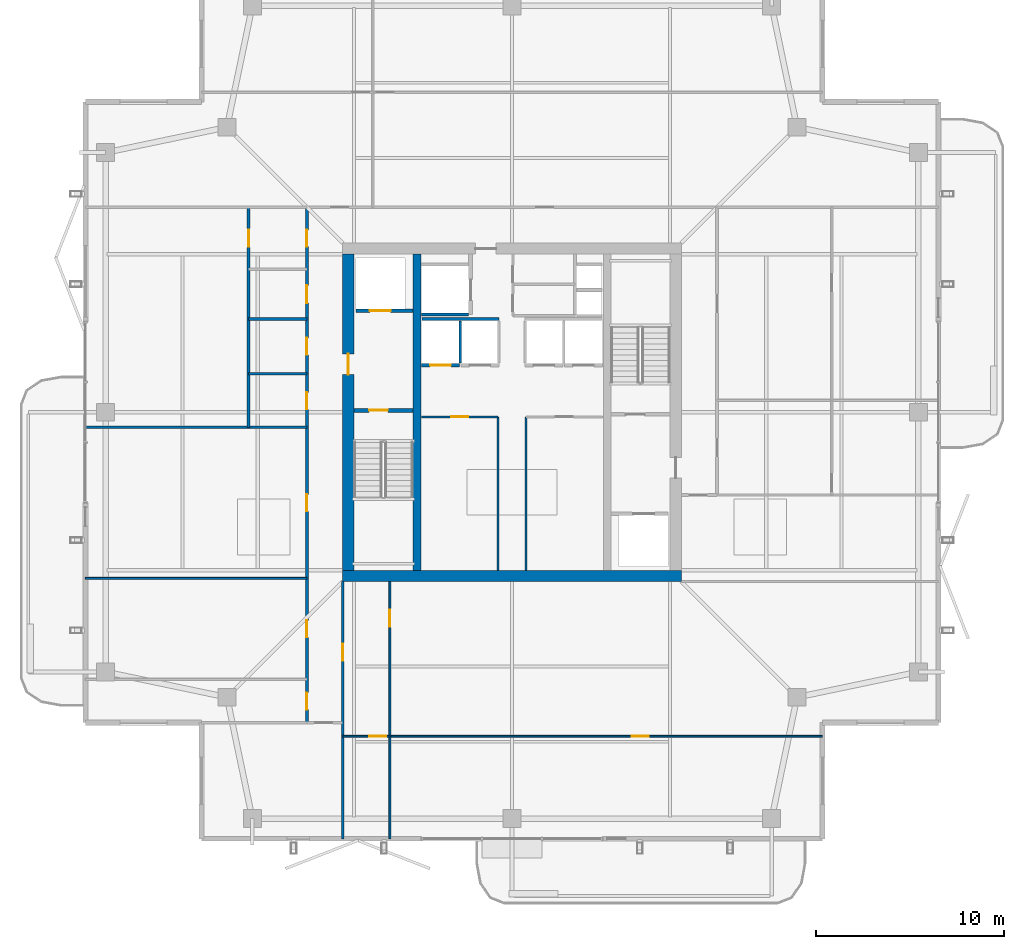
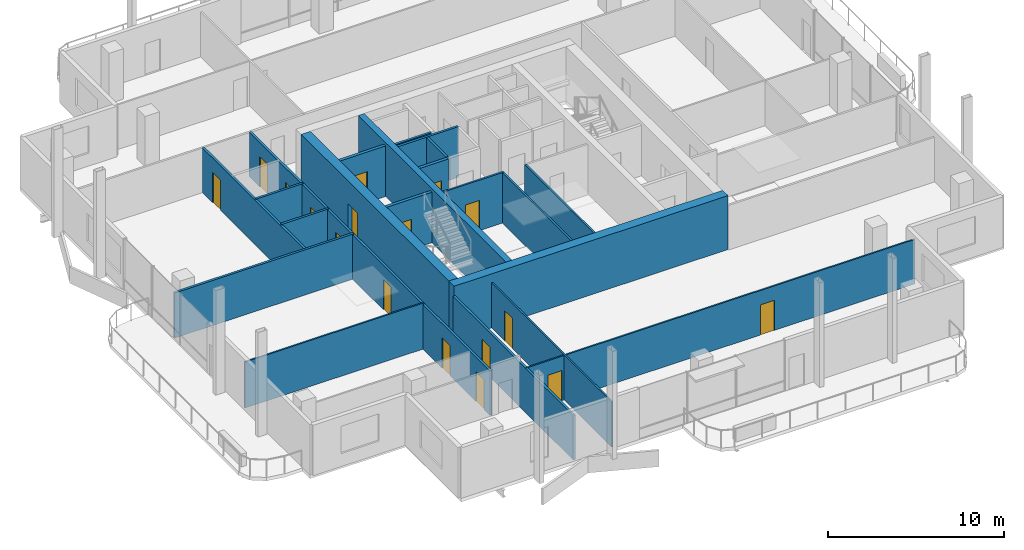
# One storey, part 14 of 20: 22 walls, 17 doors, 17 openings.
"""IFC4 building model written with IfcOpenShell, lengths in metres."""

from ifc_helpers import new_model, si_unit, direction, frame, frame_2d, origin, place, context, subcontext, project, spatial, rectangle, extrude, material, layer, layer_set, type_object, element, fill, save


model = new_model("IFC4")

# Units and contexts
model_context = context("Model", 3, precision=1e-05, world=origin(), true_north=direction((0.0, 1.0)))
body_context = subcontext(model_context, "Body", "Model", "MODEL_VIEW")
ifc_project = project(units=[si_unit("LENGTHUNIT", "METRE"), si_unit("AREAUNIT", "SQUARE_METRE"), si_unit("VOLUMEUNIT", "CUBIC_METRE"), si_unit("PLANEANGLEUNIT", "RADIAN"), si_unit("MASSUNIT", "GRAM", prefix="KILO")], contexts=[model_context])

# Site, building, storey
site_placement = place(None, origin())
site = spatial("IfcSite", under=ifc_project, at=site_placement, CompositionType="ELEMENT")
building_placement = place(site_placement, origin())
building = spatial("IfcBuilding", under=site, at=building_placement, Name="Belovzor Exchange Tower", CompositionType="ELEMENT")
storey_placement = place(building_placement, frame((0.0, 0.0, 306.75)))
storey = spatial("IfcBuildingStorey", under=building, at=storey_placement, Name="L76", CompositionType="ELEMENT", Elevation=306.75)

# Wall
ifc_material_1 = material(Name="Acoustic Laminated Glass and Aluminium", Category="aluminium")
ifc_layer_1 = layer(ifc_material_1, 0.10009765625)
ifc_layer_set_1 = layer_set([ifc_layer_1], Name="Acoustic Laminated Glass and Aluminium")
wall_type_1 = type_object("IfcWallType", Name="Demountable Executive Glass Partition 100", PredefinedType="MOVABLE", material=ifc_layer_set_1)
wall_1_placement = place(storey_placement, frame((6.1298828125, 19.968017578125, 0.0), z_axis=(0.0, 0.0, 1.0), x_axis=(1.0, 0.0, 0.0)))
element("IfcWall", 1, at=wall_1_placement, inside=storey, type_object=wall_type_1, Name="W-M100 Partition Wall W-L76-WDIV-2", PredefinedType="MOVABLE", context=body_context, shape_type="SweptSolid", body=[
    extrude(rectangle(XDim=11.77001953125, YDim=0.10009765625, at=frame_2d((5.885009765625, 0.0))), origin(), (0.0, 0.0, 1.0), 3.195068359375),
])

# Wall, opening, door
wall_2_placement = place(storey_placement, frame((19.800048828125, 11.5791015625, 0.0), z_axis=(0.0, 0.0, 1.0), x_axis=(1.0, 0.0, 0.0)))
wall_2 = element("IfcWall", 2, at=wall_2_placement, inside=storey, type_object=wall_type_1, Name="W-M100 Partition Wall W-L76-SHDIV-0", PredefinedType="MOVABLE", context=body_context, shape_type="SweptSolid", body=[
    extrude(rectangle(XDim=2.509033203125, YDim=0.10009765625, at=frame_2d((1.25439453125, 0.0))), origin(), (0.0, 0.0, 1.0), 3.094970703125),
])
opening_1_placement = place(wall_2_placement, frame((1.408935546875, 0.0, 0.0)))
opening_1 = element("IfcOpeningElement", 3, at=opening_1_placement, cuts=wall_2, Name="Opening D-INT-090", PredefinedType="OPENING", context=body_context, shape_type="SweptSolid", body=[
    extrude(rectangle(XDim=0.89990234375, YDim=2.10009765625, at=frame_2d((0.449951171875, 1.050048828125))), frame((0.0, 0.06005859375, 0.0), z_axis=(0.0, -1.0, 0.0), x_axis=(1.0, 0.0, 0.0)), (0.0, 0.0, 1.0), 0.1201171875),
])
ifc_material_2 = material(Name="Veneered Hardwood Acoustic Leaf", Category="wood")
door_type_1 = type_object("IfcDoorType", Name="Trading Suite Acoustic Single Door 900x2100", OperationType="NOTDEFINED", PredefinedType="DOOR", material=ifc_material_2)
door_1_placement = place(opening_1_placement, origin())
door_1 = element("IfcDoor", 4, at=door_1_placement, inside=storey, type_object=door_type_1, Name="D-INT-090 Trading Suite Acoustic Single Door 900x2100", OperationType="SINGLE_SWING_LEFT", OverallHeight=2.10009765625, OverallWidth=0.89990234375, PredefinedType="DOOR", context=body_context, shape_type="SweptSolid", body=[
    extrude(rectangle(XDim=0.89990234375, YDim=2.10009765625, at=frame_2d((0.449951171875, 1.050048828125))), frame((0.0, 0.02490234375, 0.0), z_axis=(0.0, -1.0, 0.0), x_axis=(1.0, 0.0, 0.0)), (0.0, 0.0, 1.0), 0.050048828125),
])
fill(opening_1, door_1)

wall_3_placement = place(storey_placement, frame((22.30908203125, 6.1298828125, 0.0), z_axis=(0.0, 0.0, 1.0), x_axis=(0.0, 1.0, 0.0)))
wall_3 = element("IfcWall", 5, at=wall_3_placement, inside=storey, type_object=wall_type_1, Name="W-M100 Partition Wall W-L76-SDIV-1", PredefinedType="MOVABLE", context=body_context, shape_type="SweptSolid", body=[
    extrude(rectangle(XDim=13.670166015625, YDim=0.10009765625, at=frame_2d((6.8349609375, 0.0))), origin(), (0.0, 0.0, 1.0), 3.135009765625),
])
opening_2_placement = place(wall_3_placement, frame((11.27001953125, 0.0, 0.0)))
opening_2 = element("IfcOpeningElement", 6, at=opening_2_placement, cuts=wall_3, Name="Opening D-INT-090", PredefinedType="OPENING", context=body_context, shape_type="SweptSolid", body=[
    extrude(rectangle(XDim=0.89990234375, YDim=2.10009765625, at=frame_2d((0.449951171875, 1.050048828125))), frame((0.0, 0.06005859375, 0.0), z_axis=(0.0, -1.0, 0.0), x_axis=(1.0, 0.0, 0.0)), (0.0, 0.0, 1.0), 0.1201171875),
])
door_2_placement = place(opening_2_placement, origin())
door_2 = element("IfcDoor", 7, at=door_2_placement, inside=storey, type_object=door_type_1, Name="D-INT-090 Trading Suite Acoustic Single Door 900x2100", OperationType="SINGLE_SWING_LEFT", OverallHeight=2.10009765625, OverallWidth=0.89990234375, PredefinedType="DOOR", context=body_context, shape_type="SweptSolid", body=[
    extrude(rectangle(XDim=0.89990234375, YDim=2.10009765625, at=frame_2d((0.449951171875, 1.050048828125))), frame((0.0, 0.02490234375, 0.0), z_axis=(0.0, -1.0, 0.0), x_axis=(1.0, 0.0, 0.0)), (0.0, 0.0, 1.0), 0.050048828125),
])
fill(opening_2, door_2)

wall_4_placement = place(storey_placement, frame((22.30908203125, 11.5791015625, 0.0), z_axis=(0.0, 0.0, 1.0), x_axis=(1.0, 0.0, 0.0)))
wall_4 = element("IfcWall", 8, at=wall_4_placement, inside=storey, type_object=wall_type_1, Name="W-M100 Partition Wall W-L76-SHDIV-1", PredefinedType="MOVABLE", context=body_context, shape_type="SweptSolid", body=[
    extrude(rectangle(XDim=22.990966796875, YDim=0.10009765625, at=frame_2d((11.49560546875, 0.0))), origin(), (0.0, 0.0, 1.0), 3.094970703125),
])
opening_3_placement = place(wall_4_placement, frame((12.85302734375, 0.0, 0.0)))
opening_3 = element("IfcOpeningElement", 9, at=opening_3_placement, cuts=wall_4, Name="Opening D-INT-090", PredefinedType="OPENING", context=body_context, shape_type="SweptSolid", body=[
    extrude(rectangle(XDim=0.89990234375, YDim=2.10009765625, at=frame_2d((0.449951171875, 1.050048828125))), frame((0.0, 0.06005859375, 0.0), z_axis=(0.0, -1.0, 0.0), x_axis=(1.0, 0.0, 0.0)), (0.0, 0.0, 1.0), 0.1201171875),
])
door_3_placement = place(opening_3_placement, origin())
door_3 = element("IfcDoor", 10, at=door_3_placement, inside=storey, type_object=door_type_1, Name="D-INT-090 Trading Suite Acoustic Single Door 900x2100", OperationType="SINGLE_SWING_LEFT", OverallHeight=2.10009765625, OverallWidth=0.89990234375, PredefinedType="DOOR", context=body_context, shape_type="SweptSolid", body=[
    extrude(rectangle(XDim=0.89990234375, YDim=2.10009765625, at=frame_2d((0.449951171875, 1.050048828125))), frame((0.0, 0.02490234375, 0.0), z_axis=(0.0, -1.0, 0.0), x_axis=(1.0, 0.0, 0.0)), (0.0, 0.0, 1.0), 0.050048828125),
])
fill(opening_3, door_3)

ifc_material_3 = material(Name="Fire-Rated Plasterboard on Galvanised Studs", Category="gypsum")
ifc_layer_2 = layer(ifc_material_3, 0.1201171875)
ifc_layer_set_2 = layer_set([ifc_layer_2], Name="Fire-Rated Plasterboard on Galvanised Studs")
wall_type_2 = type_object("IfcWallType", Name="Fire-Rated Double-Stud Partition Wall 120", PredefinedType="PARTITIONING", material=ifc_layer_set_2)
wall_5_placement = place(storey_placement, frame((24.0, 28.550048828125, 0.0), z_axis=(0.0, 0.0, 1.0), x_axis=(1.0, 0.0, 0.0)))
wall_5 = element("IfcWall", 11, at=wall_5_placement, inside=storey, type_object=wall_type_2, Name="W-P120F Partition Wall W-CRWB-L76-N", PredefinedType="PARTITIONING", context=body_context, shape_type="SweptSolid", body=[
    extrude(rectangle(XDim=4.050048828125, YDim=0.1201171875, at=frame_2d((2.02490234375, 0.0))), origin(), (0.0, 0.0, 1.0), 3.510009765625),
])
opening_4_placement = place(wall_5_placement, frame((1.574951171875, 0.0, 0.0)))
opening_4 = element("IfcOpeningElement", 12, at=opening_4_placement, cuts=wall_5, Name="Opening D-FD60-090", PredefinedType="OPENING", context=body_context, shape_type="SweptSolid", body=[
    extrude(rectangle(XDim=0.89990234375, YDim=2.10009765625, at=frame_2d((0.449951171875, 1.050048828125))), frame((0.0, 0.070068359375, 0.0), z_axis=(0.0, -1.0, 0.0), x_axis=(1.0, 0.0, 0.0)), (0.0, 0.0, 1.0), 0.14013671875),
])
ifc_material_4 = material(Name="Acoustic Timber Fire Leaf", Category="wood")
door_type_2 = type_object("IfcDoorType", Name="Core Service & Restroom Fire Door 900x2100", OperationType="NOTDEFINED", PredefinedType="DOOR", material=ifc_material_4)
door_4_placement = place(opening_4_placement, origin())
door_4 = element("IfcDoor", 13, at=door_4_placement, inside=storey, type_object=door_type_2, Name="D-FD60-090 Core Service & Restroom Fire Door 900x2100", OperationType="SINGLE_SWING_LEFT", OverallHeight=2.10009765625, OverallWidth=0.89990234375, PredefinedType="DOOR", context=body_context, shape_type="SweptSolid", body=[
    extrude(rectangle(XDim=0.89990234375, YDim=2.10009765625, at=frame_2d((0.449951171875, 1.050048828125))), frame((0.0, 0.02490234375, 0.0), z_axis=(0.0, -1.0, 0.0), x_axis=(1.0, 0.0, 0.0)), (0.0, 0.0, 1.0), 0.050048828125),
])
fill(opening_4, door_4)

# Walls
for number, where, z_axis, x_axis, name in (
    (14, (28.050048828125, 20.39990234375, 0.0), (0.0, 0.0, 1.0), (0.0, 1.0, 0.0), "W-P120F Partition Wall W-CRWB-L76-E"),
    (15, (29.550048828125, 20.39990234375, 0.0), (0.0, 0.0, 1.0), (0.0, 1.0, 0.0), "W-P120F Partition Wall W-CREB-L76-W"),
):
    element("IfcWall", number, at=place(storey_placement, frame(where, z_axis=z_axis, x_axis=x_axis)), inside=storey, type_object=wall_type_2, Name=name, PredefinedType="PARTITIONING", context=body_context, shape_type="SweptSolid", body=[
        extrude(rectangle(XDim=8.150146484375, YDim=0.1201171875, at=frame_2d((4.0751953125, 0.0))), origin(), (0.0, 0.0, 1.0), 3.510009765625),
    ])

# Wall, opening, door
ifc_material_5 = material(Name="Fire-Rated Gypsum Block and Mineral Wool", Category="gypsum")
ifc_layer_3 = layer(ifc_material_5, 0.14990234375)
ifc_layer_set_3 = layer_set([ifc_layer_3], Name="Fire-Rated Gypsum Block and Mineral Wool")
wall_type_3 = type_object("IfcWallType", Name="Fire-Rated Gypsum Block Corridor Wall 150", PredefinedType="PARTITIONING", material=ifc_layer_set_3)
wall_6_placement = place(storey_placement, frame((14.800048828125, 28.0, 0.0), z_axis=(0.0, 0.0, 1.0), x_axis=(0.0, 1.0, 0.0)))
wall_6 = element("IfcWall", 16, at=wall_6_placement, inside=storey, type_object=wall_type_3, Name="W-P150 Partition Wall W-L76-WCW", PredefinedType="PARTITIONING", context=body_context, shape_type="SweptSolid", body=[
    extrude(rectangle(XDim=11.699951171875, YDim=0.14990234375, at=frame_2d((5.85009765625, 0.0))), origin(), (0.0, 0.0, 1.0), 3.094970703125),
])
opening_5_placement = place(wall_6_placement, frame((9.60009765625, 0.0, 0.0)))
opening_5 = element("IfcOpeningElement", 17, at=opening_5_placement, cuts=wall_6, Name="Opening D-INT-090", PredefinedType="OPENING", context=body_context, shape_type="SweptSolid", body=[
    extrude(rectangle(XDim=0.89990234375, YDim=2.10009765625, at=frame_2d((0.449951171875, 1.050048828125))), frame((0.0, 0.0849609375, 0.0), z_axis=(0.0, -1.0, 0.0), x_axis=(1.0, 0.0, 0.0)), (0.0, 0.0, 1.0), 0.169921875),
])
door_5_placement = place(opening_5_placement, origin())
door_5 = element("IfcDoor", 18, at=door_5_placement, inside=storey, type_object=door_type_1, Name="D-INT-090 Trading Suite Acoustic Single Door 900x2100", OperationType="SINGLE_SWING_LEFT", OverallHeight=2.10009765625, OverallWidth=0.89990234375, PredefinedType="DOOR", context=body_context, shape_type="SweptSolid", body=[
    extrude(rectangle(XDim=0.89990234375, YDim=2.10009765625, at=frame_2d((0.449951171875, 1.050048828125))), frame((0.0, 0.02490234375, 0.0), z_axis=(0.0, -1.0, 0.0), x_axis=(1.0, 0.0, 0.0)), (0.0, 0.0, 1.0), 0.050048828125),
])
fill(opening_5, door_5)

# Walls
wall_7_placement = place(storey_placement, frame((6.1298828125, 28.0, 0.0), z_axis=(0.0, 0.0, 1.0), x_axis=(1.0, 0.0, 0.0)))
element("IfcWall", 19, at=wall_7_placement, inside=storey, type_object=wall_type_3, Name="W-P150 Partition Wall W-L76-WCS", PredefinedType="PARTITIONING", context=body_context, shape_type="SweptSolid", body=[
    extrude(rectangle(XDim=11.77001953125, YDim=0.14990234375, at=frame_2d((5.885009765625, 0.0))), origin(), (0.0, 0.0, 1.0), 3.135009765625),
])
for number, where, z_axis, x_axis, name in (
    (20, (14.800048828125, 30.85009765625, 0.0), (0.0, 0.0, 1.0), (1.0, 0.0, 0.0), "W-P150 Partition Wall W-L76-WCD1"),
    (21, (14.800048828125, 33.75, 0.0), (0.0, 0.0, 1.0), (1.0, 0.0, 0.0), "W-P150 Partition Wall W-L76-WCD2"),
):
    element("IfcWall", number, at=place(storey_placement, frame(where, z_axis=z_axis, x_axis=x_axis)), inside=storey, type_object=wall_type_3, Name=name, PredefinedType="PARTITIONING", context=body_context, shape_type="SweptSolid", body=[
        extrude(rectangle(XDim=3.099853515625, YDim=0.14990234375, at=frame_2d((1.5498046875, 0.0))), origin(), (0.0, 0.0, 1.0), 3.135009765625),
    ])

# Wall, opening, door
wall_8_placement = place(storey_placement, frame((19.800048828125, 6.1298828125, 0.0), z_axis=(0.0, 0.0, 1.0), x_axis=(0.0, 1.0, 0.0)))
wall_8 = element("IfcWall", 22, at=wall_8_placement, inside=storey, type_object=wall_type_3, Name="W-P150 Partition Wall W-L76-CW-E", PredefinedType="PARTITIONING", context=body_context, shape_type="SweptSolid", body=[
    extrude(rectangle(XDim=13.670166015625, YDim=0.14990234375, at=frame_2d((6.8349609375, 0.0))), origin(), (0.0, 0.0, 1.0), 3.094970703125),
])
opening_6_placement = place(wall_8_placement, frame((9.469970703125, 0.0, 0.0)))
opening_6 = element("IfcOpeningElement", 23, at=opening_6_placement, cuts=wall_8, Name="Opening D-FD60-090", PredefinedType="OPENING", context=body_context, shape_type="SweptSolid", body=[
    extrude(rectangle(XDim=0.89990234375, YDim=2.10009765625, at=frame_2d((0.449951171875, 1.050048828125))), frame((0.0, 0.0849609375, 0.0), z_axis=(0.0, -1.0, 0.0), x_axis=(1.0, 0.0, 0.0)), (0.0, 0.0, 1.0), 0.169921875),
])
door_6_placement = place(opening_6_placement, origin())
door_6 = element("IfcDoor", 24, at=door_6_placement, inside=storey, type_object=door_type_2, Name="D-FD60-090 Core Service & Restroom Fire Door 900x2100", OperationType="SINGLE_SWING_RIGHT", OverallHeight=2.10009765625, OverallWidth=0.89990234375, PredefinedType="DOOR", context=body_context, shape_type="SweptSolid", body=[
    extrude(rectangle(XDim=0.89990234375, YDim=2.10009765625, at=frame_2d((0.449951171875, 1.050048828125))), frame((0.0, 0.02490234375, 0.0), z_axis=(0.0, -1.0, 0.0), x_axis=(1.0, 0.0, 0.0)), (0.0, 0.0, 1.0), 0.050048828125),
])
fill(opening_6, door_6)

# Wall, openings, doors
wall_9_placement = place(storey_placement, frame((17.89990234375, 12.300048828125, 0.0), z_axis=(0.0, 0.0, 1.0), x_axis=(0.0, 1.0, 0.0)))
wall_9 = element("IfcWall", 25, at=wall_9_placement, inside=storey, type_object=wall_type_3, Name="W-P150 Partition Wall W-L76-CW", PredefinedType="PARTITIONING", context=body_context, shape_type="SweptSolid", body=[
    extrude(rectangle(XDim=27.39990234375, YDim=0.14990234375, at=frame_2d((13.699951171875, 0.0))), origin(), (0.0, 0.0, 1.0), 3.094970703125),
])
opening_7_placement = place(wall_9_placement, frame((0.699951171875, 0.0, 0.0)))
opening_7 = element("IfcOpeningElement", 26, at=opening_7_placement, cuts=wall_9, Name="Opening D-INT-090", PredefinedType="OPENING", context=body_context, shape_type="SweptSolid", body=[
    extrude(rectangle(XDim=0.89990234375, YDim=2.10009765625, at=frame_2d((0.449951171875, 1.050048828125))), frame((0.0, 0.0849609375, 0.0), z_axis=(0.0, -1.0, 0.0), x_axis=(1.0, 0.0, 0.0)), (0.0, 0.0, 1.0), 0.169921875),
])
opening_8_placement = place(wall_9_placement, frame((4.533935546875, 0.0, 0.0)))
opening_8 = element("IfcOpeningElement", 27, at=opening_8_placement, cuts=wall_9, Name="Opening D-INT-090", PredefinedType="OPENING", context=body_context, shape_type="SweptSolid", body=[
    extrude(rectangle(XDim=0.89990234375, YDim=2.10009765625, at=frame_2d((0.449951171875, 1.050048828125))), frame((0.0, 0.0849609375, 0.0), z_axis=(0.0, -1.0, 0.0), x_axis=(1.0, 0.0, 0.0)), (0.0, 0.0, 1.0), 0.169921875),
])
opening_9_placement = place(wall_9_placement, frame((11.23388671875, 0.0, 0.0)))
opening_9 = element("IfcOpeningElement", 28, at=opening_9_placement, cuts=wall_9, Name="Opening D-INT-090", PredefinedType="OPENING", context=body_context, shape_type="SweptSolid", body=[
    extrude(rectangle(XDim=0.89990234375, YDim=2.10009765625, at=frame_2d((0.449951171875, 1.050048828125))), frame((0.0, 0.0849609375, 0.0), z_axis=(0.0, -1.0, 0.0), x_axis=(1.0, 0.0, 0.0)), (0.0, 0.0, 1.0), 0.169921875),
])
opening_10_placement = place(wall_9_placement, frame((16.64990234375, 0.0, 0.0)))
opening_10 = element("IfcOpeningElement", 29, at=opening_10_placement, cuts=wall_9, Name="Opening D-FD60-090", PredefinedType="OPENING", context=body_context, shape_type="SweptSolid", body=[
    extrude(rectangle(XDim=0.89990234375, YDim=2.10009765625, at=frame_2d((0.449951171875, 1.050048828125))), frame((0.0, 0.0849609375, 0.0), z_axis=(0.0, -1.0, 0.0), x_axis=(1.0, 0.0, 0.0)), (0.0, 0.0, 1.0), 0.169921875),
])
opening_11_placement = place(wall_9_placement, frame((19.550048828125, 0.0, 0.0)))
opening_11 = element("IfcOpeningElement", 30, at=opening_11_placement, cuts=wall_9, Name="Opening D-FD60-090", PredefinedType="OPENING", context=body_context, shape_type="SweptSolid", body=[
    extrude(rectangle(XDim=0.89990234375, YDim=2.10009765625, at=frame_2d((0.449951171875, 1.050048828125))), frame((0.0, 0.0849609375, 0.0), z_axis=(0.0, -1.0, 0.0), x_axis=(1.0, 0.0, 0.0)), (0.0, 0.0, 1.0), 0.169921875),
])
opening_12_placement = place(wall_9_placement, frame((22.300048828125, 0.0, 0.0)))
opening_12 = element("IfcOpeningElement", 31, at=opening_12_placement, cuts=wall_9, Name="Opening D-FD60-095", PredefinedType="OPENING", context=body_context, shape_type="SweptSolid", body=[
    extrude(rectangle(XDim=0.949951171875, YDim=2.10009765625, at=frame_2d((0.47509765625, 1.050048828125))), frame((0.0, 0.0849609375, 0.0), z_axis=(0.0, -1.0, 0.0), x_axis=(1.0, 0.0, 0.0)), (0.0, 0.0, 1.0), 0.169921875),
])
opening_13_placement = place(wall_9_placement, frame((25.300048828125, 0.0, 0.0)))
opening_13 = element("IfcOpeningElement", 32, at=opening_13_placement, cuts=wall_9, Name="Opening D-FD60-090", PredefinedType="OPENING", context=body_context, shape_type="SweptSolid", body=[
    extrude(rectangle(XDim=0.89990234375, YDim=2.10009765625, at=frame_2d((0.449951171875, 1.050048828125))), frame((0.0, 0.0849609375, 0.0), z_axis=(0.0, -1.0, 0.0), x_axis=(1.0, 0.0, 0.0)), (0.0, 0.0, 1.0), 0.169921875),
])
ifc_material_6 = material(Name="Moisture-Resistant Timber Fire Leaf", Category="wood")
door_type_3 = type_object("IfcDoorType", Name="Accessible Restroom Wide Fire Door 950x2100", OperationType="NOTDEFINED", PredefinedType="DOOR", material=ifc_material_6)
door_7_placement = place(opening_12_placement, origin())
door_7 = element("IfcDoor", 33, at=door_7_placement, inside=storey, type_object=door_type_3, Name="D-FD60-095 Accessible Restroom Wide Fire Door 950x2100", OperationType="SINGLE_SWING_LEFT", OverallHeight=2.10009765625, OverallWidth=0.949951171875, PredefinedType="DOOR", context=body_context, shape_type="SweptSolid", body=[
    extrude(rectangle(XDim=0.949951171875, YDim=2.10009765625, at=frame_2d((0.47509765625, 1.050048828125))), frame((0.0, 0.02490234375, 0.0), z_axis=(0.0, -1.0, 0.0), x_axis=(1.0, 0.0, 0.0)), (0.0, 0.0, 1.0), 0.050048828125),
])
fill(opening_12, door_7)
door_8_placement = place(opening_10_placement, origin())
door_8 = element("IfcDoor", 34, at=door_8_placement, inside=storey, type_object=door_type_2, Name="D-FD60-090 Core Service & Restroom Fire Door 900x2100", OperationType="SINGLE_SWING_LEFT", OverallHeight=2.10009765625, OverallWidth=0.89990234375, PredefinedType="DOOR", context=body_context, shape_type="SweptSolid", body=[
    extrude(rectangle(XDim=0.89990234375, YDim=2.10009765625, at=frame_2d((0.449951171875, 1.050048828125))), frame((0.0, 0.02490234375, 0.0), z_axis=(0.0, -1.0, 0.0), x_axis=(1.0, 0.0, 0.0)), (0.0, 0.0, 1.0), 0.050048828125),
])
fill(opening_10, door_8)
door_9_placement = place(opening_11_placement, origin())
door_9 = element("IfcDoor", 35, at=door_9_placement, inside=storey, type_object=door_type_2, Name="D-FD60-090 Core Service & Restroom Fire Door 900x2100", OperationType="SINGLE_SWING_RIGHT", OverallHeight=2.10009765625, OverallWidth=0.89990234375, PredefinedType="DOOR", context=body_context, shape_type="SweptSolid", body=[
    extrude(rectangle(XDim=0.89990234375, YDim=2.10009765625, at=frame_2d((0.449951171875, 1.050048828125))), frame((0.0, 0.02490234375, 0.0), z_axis=(0.0, -1.0, 0.0), x_axis=(1.0, 0.0, 0.0)), (0.0, 0.0, 1.0), 0.050048828125),
])
fill(opening_11, door_9)
door_10_placement = place(opening_13_placement, origin())
door_10 = element("IfcDoor", 36, at=door_10_placement, inside=storey, type_object=door_type_2, Name="D-FD60-090 Core Service & Restroom Fire Door 900x2100", OperationType="SINGLE_SWING_LEFT", OverallHeight=2.10009765625, OverallWidth=0.89990234375, PredefinedType="DOOR", context=body_context, shape_type="SweptSolid", body=[
    extrude(rectangle(XDim=0.89990234375, YDim=2.10009765625, at=frame_2d((0.449951171875, 1.050048828125))), frame((0.0, 0.02490234375, 0.0), z_axis=(0.0, -1.0, 0.0), x_axis=(1.0, 0.0, 0.0)), (0.0, 0.0, 1.0), 0.050048828125),
])
fill(opening_13, door_10)
door_11_placement = place(opening_7_placement, origin())
door_11 = element("IfcDoor", 37, at=door_11_placement, inside=storey, type_object=door_type_1, Name="D-INT-090 Trading Suite Acoustic Single Door 900x2100", OperationType="SINGLE_SWING_LEFT", OverallHeight=2.10009765625, OverallWidth=0.89990234375, PredefinedType="DOOR", context=body_context, shape_type="SweptSolid", body=[
    extrude(rectangle(XDim=0.89990234375, YDim=2.10009765625, at=frame_2d((0.449951171875, 1.050048828125))), frame((0.0, 0.02490234375, 0.0), z_axis=(0.0, -1.0, 0.0), x_axis=(1.0, 0.0, 0.0)), (0.0, 0.0, 1.0), 0.050048828125),
])
fill(opening_7, door_11)
door_12_placement = place(opening_8_placement, origin())
door_12 = element("IfcDoor", 38, at=door_12_placement, inside=storey, type_object=door_type_1, Name="D-INT-090 Trading Suite Acoustic Single Door 900x2100", OperationType="SINGLE_SWING_RIGHT", OverallHeight=2.10009765625, OverallWidth=0.89990234375, PredefinedType="DOOR", context=body_context, shape_type="SweptSolid", body=[
    extrude(rectangle(XDim=0.89990234375, YDim=2.10009765625, at=frame_2d((0.449951171875, 1.050048828125))), frame((0.0, 0.02490234375, 0.0), z_axis=(0.0, -1.0, 0.0), x_axis=(1.0, 0.0, 0.0)), (0.0, 0.0, 1.0), 0.050048828125),
])
fill(opening_8, door_12)
door_13_placement = place(opening_9_placement, origin())
door_13 = element("IfcDoor", 39, at=door_13_placement, inside=storey, type_object=door_type_1, Name="D-INT-090 Trading Suite Acoustic Single Door 900x2100", OperationType="SINGLE_SWING_LEFT", OverallHeight=2.10009765625, OverallWidth=0.89990234375, PredefinedType="DOOR", context=body_context, shape_type="SweptSolid", body=[
    extrude(rectangle(XDim=0.89990234375, YDim=2.10009765625, at=frame_2d((0.449951171875, 1.050048828125))), frame((0.0, 0.02490234375, 0.0), z_axis=(0.0, -1.0, 0.0), x_axis=(1.0, 0.0, 0.0)), (0.0, 0.0, 1.0), 0.050048828125),
])
fill(opening_9, door_13)

# Walls
ifc_material_7 = material(Name="Concrete C50/60", Category="concrete")
ifc_layer_4 = layer(ifc_material_7, 0.39990234375)
ifc_layer_set_4 = layer_set([ifc_layer_4], Name="Concrete C50/60")
wall_type_4 = type_object("IfcWallType", Name="Reinforced Concrete Core Internal Web Wall 400", PredefinedType="SHEAR", material=ifc_layer_set_4)
wall_10_placement = place(storey_placement, frame((23.75, 20.39990234375, 0.0), z_axis=(0.0, 0.0, 1.0), x_axis=(0.0, 1.0, 0.0)))
element("IfcWall", 40, at=wall_10_placement, inside=storey, type_object=wall_type_4, Name="CW-W040 Core Internal Web Wall L76 WL", PredefinedType="SHEAR", context=body_context, shape_type="SweptSolid", body=[
    extrude(rectangle(XDim=16.800048828125, YDim=0.39990234375, at=frame_2d((8.39990234375, 0.0))), origin(), (0.0, 0.0, 1.0), 3.75),
])
ifc_material_8 = material(Name="Concrete C50/60", Category="concrete")
ifc_layer_5 = layer(ifc_material_8, 0.14990234375)
ifc_layer_set_5 = layer_set([ifc_layer_5], Name="Concrete C50/60")
wall_type_5 = type_object("IfcWallType", Name="Reinforced Concrete Core Riser Shear Wall 150", PredefinedType="SHEAR", material=ifc_layer_set_5)
wall_11_placement = place(storey_placement, frame((24.0, 34.0, 0.0), z_axis=(0.0, 0.0, 1.0), x_axis=(1.0, 0.0, 0.0)))
element("IfcWall", 41, at=wall_11_placement, inside=storey, type_object=wall_type_5, Name="W-C150S Core Shaft Wall W-SH-L76-SL-01S", PredefinedType="SHEAR", context=body_context, shape_type="SweptSolid", body=[
    extrude(rectangle(XDim=2.47998046875, YDim=0.14990234375, at=frame_2d((1.239990234375, 0.0))), origin(), (0.0, 0.0, 1.0), 3.510009765625),
])
wall_12_placement = place(storey_placement, frame((24.02001953125, 33.760009765625, 0.0), z_axis=(0.0, 0.0, 1.0), x_axis=(1.0, 0.0, 0.0)))
element("IfcWall", 42, at=wall_12_placement, inside=storey, type_object=wall_type_5, Name="W-C150S Core Shaft Wall W-SHB-L76-PLH-NW", PredefinedType="SHEAR", context=body_context, shape_type="SweptSolid", body=[
    extrude(rectangle(XDim=4.080078125, YDim=0.14990234375, at=frame_2d((2.0400390625, 0.0))), origin(), (0.0, 0.0, 1.0), 3.510009765625),
])
wall_13_placement = place(storey_placement, frame((26.050048828125, 31.419921875, 0.0), z_axis=(0.0, 0.0, 1.0), x_axis=(0.0, 1.0, 0.0)))
element("IfcWall", 43, at=wall_13_placement, inside=storey, type_object=wall_type_5, Name="W-C150S Core Shaft Wall W-SHD-L76-PLH-1", PredefinedType="SHEAR", context=body_context, shape_type="SweptSolid", body=[
    extrude(rectangle(XDim=2.239990234375, YDim=0.14990234375, at=frame_2d((1.1201171875, 0.0))), origin(), (0.0, 0.0, 1.0), 3.510009765625),
])

# Wall, opening, door
ifc_material_9 = material(Name="Concrete C50/60", Category="concrete")
ifc_layer_6 = layer(ifc_material_9, 0.199951171875)
ifc_layer_set_6 = layer_set([ifc_layer_6], Name="Concrete C50/60")
wall_type_6 = type_object("IfcWallType", Name="Reinforced Concrete Core Shaft Shear Wall 200", PredefinedType="SHEAR", material=ifc_layer_set_6)
wall_14_placement = place(storey_placement, frame((20.39990234375, 28.89990234375, 0.0), z_axis=(0.0, 0.0, 1.0), x_axis=(1.0, 0.0, 0.0)))
wall_14 = element("IfcWall", 44, at=wall_14_placement, inside=storey, type_object=wall_type_6, Name="W-C200S Core Shaft Wall W-CORE-L76-FFLW1", PredefinedType="SHEAR", context=body_context, shape_type="SweptSolid", body=[
    extrude(rectangle(XDim=3.150146484375, YDim=0.199951171875, at=frame_2d((1.5751953125, 0.0))), origin(), (0.0, 0.0, 1.0), 3.510009765625),
])
opening_14_placement = place(wall_14_placement, frame((0.800048828125, 0.0, 0.0)))
opening_14 = element("IfcOpeningElement", 45, at=opening_14_placement, cuts=wall_14, Name="Opening D-FD90-100", PredefinedType="OPENING", context=body_context, shape_type="SweptSolid", body=[
    extrude(rectangle(XDim=1.0, YDim=2.10009765625, at=frame_2d((0.5, 1.050048828125))), frame((0.0, 0.10986328125, 0.0), z_axis=(0.0, -1.0, 0.0), x_axis=(1.0, 0.0, 0.0)), (0.0, 0.0, 1.0), 0.219970703125),
])
ifc_material_10 = material(Name="Fire-Rated Galvanised Steel Leaf", Category="steel")
door_type_4 = type_object("IfcDoorType", Name="Protected Stairwell Single Fire Door 1000x2100", OperationType="NOTDEFINED", PredefinedType="DOOR", material=ifc_material_10)
door_14_placement = place(opening_14_placement, origin())
door_14 = element("IfcDoor", 46, at=door_14_placement, inside=storey, type_object=door_type_4, Name="D-FD90-100 Protected Stairwell Single Fire Door 1000x2100", OperationType="SINGLE_SWING_RIGHT", OverallHeight=2.10009765625, OverallWidth=1.0, PredefinedType="DOOR", context=body_context, shape_type="SweptSolid", body=[
    extrude(rectangle(XDim=1.0, YDim=2.10009765625, at=frame_2d((0.5, 1.050048828125))), frame((0.0, 0.02490234375, 0.0), z_axis=(0.0, -1.0, 0.0), x_axis=(1.0, 0.0, 0.0)), (0.0, 0.0, 1.0), 0.050048828125),
])
fill(opening_14, door_14)

wall_15_placement = place(storey_placement, frame((20.5, 34.199951171875, 0.0), z_axis=(0.0, 0.0, 1.0), x_axis=(1.0, 0.0, 0.0)))
wall_15 = element("IfcWall", 47, at=wall_15_placement, inside=storey, type_object=wall_type_6, Name="W-C200S Core Shaft Wall W-SH-L76-FFL-01", PredefinedType="SHEAR", context=body_context, shape_type="SweptSolid", body=[
    extrude(rectangle(XDim=3.050048828125, YDim=0.199951171875, at=frame_2d((1.52490234375, 0.0))), origin(), (0.0, 0.0, 1.0), 3.510009765625),
])
opening_15_placement = place(wall_15_placement, frame((0.75, 0.0, 0.0)))
opening_15 = element("IfcOpeningElement", 48, at=opening_15_placement, cuts=wall_15, Name="Opening LD-110", PredefinedType="OPENING", context=body_context, shape_type="SweptSolid", body=[
    extrude(rectangle(XDim=1.10009765625, YDim=2.14990234375, at=frame_2d((0.550048828125, 1.074951171875))), frame((0.0, 0.10986328125, 0.0), z_axis=(0.0, -1.0, 0.0), x_axis=(1.0, 0.0, 0.0)), (0.0, 0.0, 1.0), 0.219970703125),
])
ifc_material_11 = material(Name="Stainless Steel Grade 304", Category="steel")
door_type_5 = type_object("IfcDoorType", Name="Automated Stainless Steel Lift Landing Door 1100x2150", OperationType="SLIDING_TO_RIGHT", PredefinedType="DOOR", material=ifc_material_11)
door_15_placement = place(opening_15_placement, origin())
door_15 = element("IfcDoor", 49, at=door_15_placement, inside=storey, type_object=door_type_5, Name="LD-110 Automated Stainless Steel Lift Landing Door 1100x2150", OperationType="SLIDING_TO_RIGHT", OverallHeight=2.14990234375, OverallWidth=1.10009765625, PredefinedType="DOOR", context=body_context, shape_type="SweptSolid", body=[
    extrude(rectangle(XDim=1.10009765625, YDim=2.14990234375, at=frame_2d((0.550048828125, 1.074951171875))), frame((0.0, 0.02490234375, 0.0), z_axis=(0.0, -1.0, 0.0), x_axis=(1.0, 0.0, 0.0)), (0.0, 0.0, 1.0), 0.050048828125),
])
fill(opening_15, door_15)

wall_16_placement = place(storey_placement, frame((24.0, 31.300048828125, 0.0), z_axis=(0.0, 0.0, 1.0), x_axis=(1.0, 0.0, 0.0)))
wall_16 = element("IfcWall", 50, at=wall_16_placement, inside=storey, type_object=wall_type_6, Name="W-C200S Core Shaft Wall W-SH-L76-PL-H1", PredefinedType="SHEAR", context=body_context, shape_type="SweptSolid", body=[
    extrude(rectangle(XDim=2.0, YDim=0.199951171875, at=frame_2d((1.0, 0.0))), origin(), (0.0, 0.0, 1.0), 3.510009765625),
])
opening_16_placement = place(wall_16_placement, frame((0.449951171875, 0.0, 0.0)))
opening_16 = element("IfcOpeningElement", 51, at=opening_16_placement, cuts=wall_16, Name="Opening LD-110", PredefinedType="OPENING", context=body_context, shape_type="SweptSolid", body=[
    extrude(rectangle(XDim=1.10009765625, YDim=2.14990234375, at=frame_2d((0.550048828125, 1.074951171875))), frame((0.0, 0.10986328125, 0.0), z_axis=(0.0, -1.0, 0.0), x_axis=(1.0, 0.0, 0.0)), (0.0, 0.0, 1.0), 0.219970703125),
])
door_16_placement = place(opening_16_placement, origin())
door_16 = element("IfcDoor", 52, at=door_16_placement, inside=storey, type_object=door_type_5, Name="LD-110 Automated Stainless Steel Lift Landing Door 1100x2150", OperationType="SLIDING_TO_RIGHT", OverallHeight=2.14990234375, OverallWidth=1.10009765625, PredefinedType="DOOR", context=body_context, shape_type="SweptSolid", body=[
    extrude(rectangle(XDim=1.10009765625, YDim=2.14990234375, at=frame_2d((0.550048828125, 1.074951171875))), frame((0.0, 0.02490234375, 0.0), z_axis=(0.0, -1.0, 0.0), x_axis=(1.0, 0.0, 0.0)), (0.0, 0.0, 1.0), 0.050048828125),
])
fill(opening_16, door_16)

# Wall
ifc_material_12 = material(Name="Concrete C50/60", Category="concrete")
ifc_layer_7 = layer(ifc_material_12, 0.60009765625)
ifc_layer_set_7 = layer_set([ifc_layer_7], Name="Concrete C50/60")
wall_type_7 = type_object("IfcWallType", Name="Reinforced Concrete Core Shear Wall 600", PredefinedType="SHEAR", material=ifc_layer_set_7)
wall_17_placement = place(storey_placement, frame((19.800048828125, 20.10009765625, 0.0), z_axis=(0.0, 0.0, 1.0), x_axis=(1.0, 0.0, 0.0)))
element("IfcWall", 53, at=wall_17_placement, inside=storey, type_object=wall_type_7, Name="CW-S060 Core Shear Wall L76 S", PredefinedType="SHEAR", context=body_context, shape_type="SweptSolid", body=[
    extrude(rectangle(XDim=18.0, YDim=0.60009765625, at=frame_2d((9.0, 0.0))), origin(), (0.0, 0.0, 1.0), 3.75),
])

# Wall, opening, door
wall_18_placement = place(storey_placement, frame((20.10009765625, 20.39990234375, 0.0), z_axis=(0.0, 0.0, 1.0), x_axis=(0.0, 1.0, 0.0)))
wall_18 = element("IfcWall", 54, at=wall_18_placement, inside=storey, type_object=wall_type_7, Name="CW-S060 Core Shear Wall L76 W", PredefinedType="SHEAR", context=body_context, shape_type="SweptSolid", body=[
    extrude(rectangle(XDim=16.800048828125, YDim=0.60009765625, at=frame_2d((8.39990234375, 0.0))), origin(), (0.0, 0.0, 1.0), 3.75),
])
opening_17_placement = place(wall_18_placement, frame((10.39990234375, 0.0, 0.0)))
opening_17 = element("IfcOpeningElement", 55, at=opening_17_placement, cuts=wall_18, Name="Opening D-FD90-110", PredefinedType="OPENING", context=body_context, shape_type="SweptSolid", body=[
    extrude(rectangle(XDim=1.10009765625, YDim=2.14990234375, at=frame_2d((0.550048828125, 1.074951171875))), frame((0.0, 0.31005859375, 0.0), z_axis=(0.0, -1.0, 0.0), x_axis=(1.0, 0.0, 0.0)), (0.0, 0.0, 1.0), 0.6201171875),
])
ifc_material_13 = material(Name="Fire-Rated Galvanised Steel Leaf", Category="steel")
door_type_6 = type_object("IfcDoorType", Name="Protected Escape Vestibule Fire Door 1100x2150", OperationType="NOTDEFINED", PredefinedType="DOOR", material=ifc_material_13)
door_17_placement = place(opening_17_placement, origin())
door_17 = element("IfcDoor", 56, at=door_17_placement, inside=storey, type_object=door_type_6, Name="D-FD90-110 Protected Escape Vestibule Fire Door 1100x2150", OperationType="SINGLE_SWING_LEFT", OverallHeight=2.14990234375, OverallWidth=1.10009765625, PredefinedType="DOOR", context=body_context, shape_type="SweptSolid", body=[
    extrude(rectangle(XDim=1.10009765625, YDim=2.14990234375, at=frame_2d((0.550048828125, 1.074951171875))), frame((0.0, 0.02490234375, 0.0), z_axis=(0.0, -1.0, 0.0), x_axis=(1.0, 0.0, 0.0)), (0.0, 0.0, 1.0), 0.050048828125),
])
fill(opening_17, door_17)

save(model, "model.ifc")
